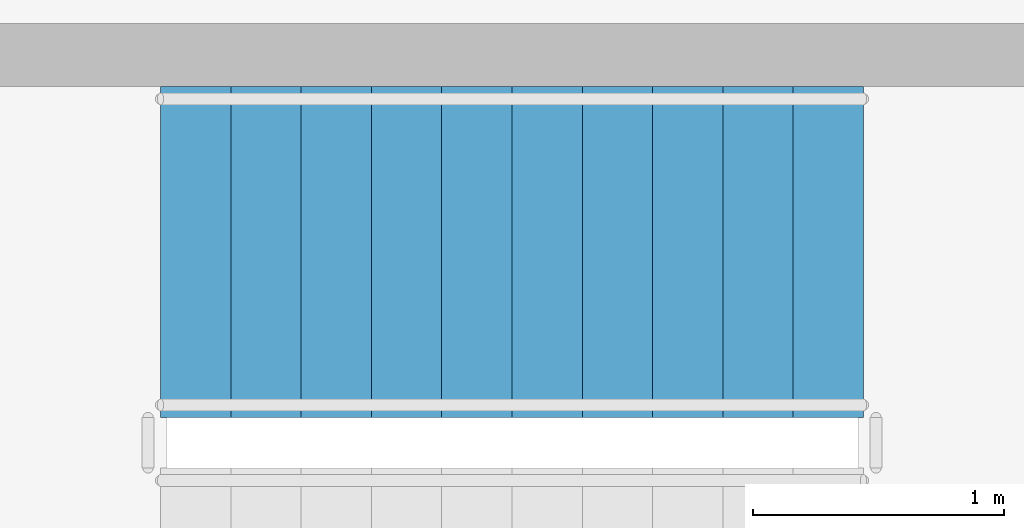
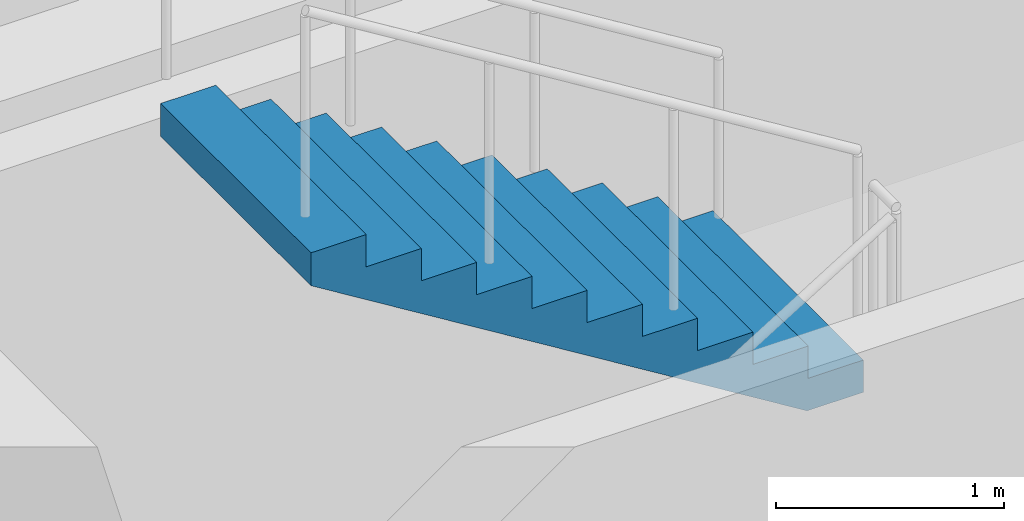
# One storey, part 14 of 15: 1 stair flight, 1 element without a shape of its own.
"""IFC4 building model written with IfcOpenShell, lengths in metres."""

from ifc_helpers import new_model, si_unit, direction, frame, origin, place, context, subcontext, project, spatial, polyline, outline, extrude, material, type_object, element, aggregate, save


model = new_model("IFC4")

# Units and contexts
model_context = context("Model", 3, precision=1e-05, world=origin(), true_north=direction((0.0, 1.0)))
body_context = subcontext(model_context, "Body", "Model", "MODEL_VIEW")
ifc_project = project(units=[si_unit("LENGTHUNIT", "METRE"), si_unit("AREAUNIT", "SQUARE_METRE"), si_unit("VOLUMEUNIT", "CUBIC_METRE"), si_unit("PLANEANGLEUNIT", "RADIAN"), si_unit("MASSUNIT", "GRAM", prefix="KILO")], contexts=[model_context])

# Site, building, storey
site_placement = place(None, origin())
site = spatial("IfcSite", under=ifc_project, at=site_placement, CompositionType="ELEMENT")
building_placement = place(site_placement, origin())
building = spatial("IfcBuilding", under=site, at=building_placement, Name="Solnavia Interchange Tower", CompositionType="ELEMENT")
storey_placement = place(building_placement, frame((0.0, 0.0, 146.60009765625)))
storey = spatial("IfcBuildingStorey", under=building, at=storey_placement, Name="L36", CompositionType="ELEMENT", Elevation=146.60009765625)

# Stair, stair flight
ifc_material = material(Name="Concrete C40/50", Category="concrete")
stair_type = type_object("IfcStairType", Name="Stair-Dogleg-RC", PredefinedType="HALF_TURN_STAIR", material=ifc_material)
stair_placement = place(storey_placement, origin())
stair = element("IfcStair", 1, at=stair_placement, inside=storey, type_object=stair_type, Name="L36 Core exit stair 3", PredefinedType="HALF_TURN_STAIR")
stair_flight_type = type_object("IfcStairFlightType", Name="StairFlight-RC-150", PredefinedType="STRAIGHT", material=ifc_material)
stair_flight_placement = place(storey_placement, frame((18.949951171875, 23.830078125, 1.89990234375), z_axis=(0.0, 0.0, 1.0), x_axis=(-1.0, 0.0, 0.0)))
stair_flight = element("IfcStairFlight", 2, at=stair_flight_placement, type_object=stair_flight_type, Name="ST-3 flight 2", NumberOfRisers=11, NumberOfTreads=10, PredefinedType="STRAIGHT", RiserHeight=0.172727273, TreadLength=0.28, context=body_context, shape_type="SweptSolid", body=[
    extrude(outline(polyline([(0.0, 0.0), (0.0, 0.172607421875), (0.280029296875, 0.172607421875), (0.280029296875, 0.345458984375), (0.56005859375, 0.345458984375), (0.56005859375, 0.51806640625), (0.840087890625, 0.51806640625), (0.840087890625, 0.69091796875), (1.1201171875, 0.69091796875), (1.1201171875, 0.863525390625), (1.39990234375, 0.863525390625), (1.39990234375, 1.036376953125), (1.679931640625, 1.036376953125), (1.679931640625, 1.208984375), (1.9599609375, 1.208984375), (1.9599609375, 1.3818359375), (2.239990234375, 1.3818359375), (2.239990234375, 1.554443359375), (2.52001953125, 1.554443359375), (2.52001953125, 1.727294921875), (2.800048828125, 1.727294921875), (2.800048828125, 1.89990234375), (2.800048828125, 1.551025390625), (0.285400390625, 0.0), (0.0, 0.0)])), frame((0.0, 0.66015625, 0.0), z_axis=(0.0, -1.0, 0.0), x_axis=(1.0, 0.0, 0.0)), (0.0, 0.0, 1.0), 1.320068359375),
])
aggregate(stair, [stair_flight])

save(model, "model.ifc")
